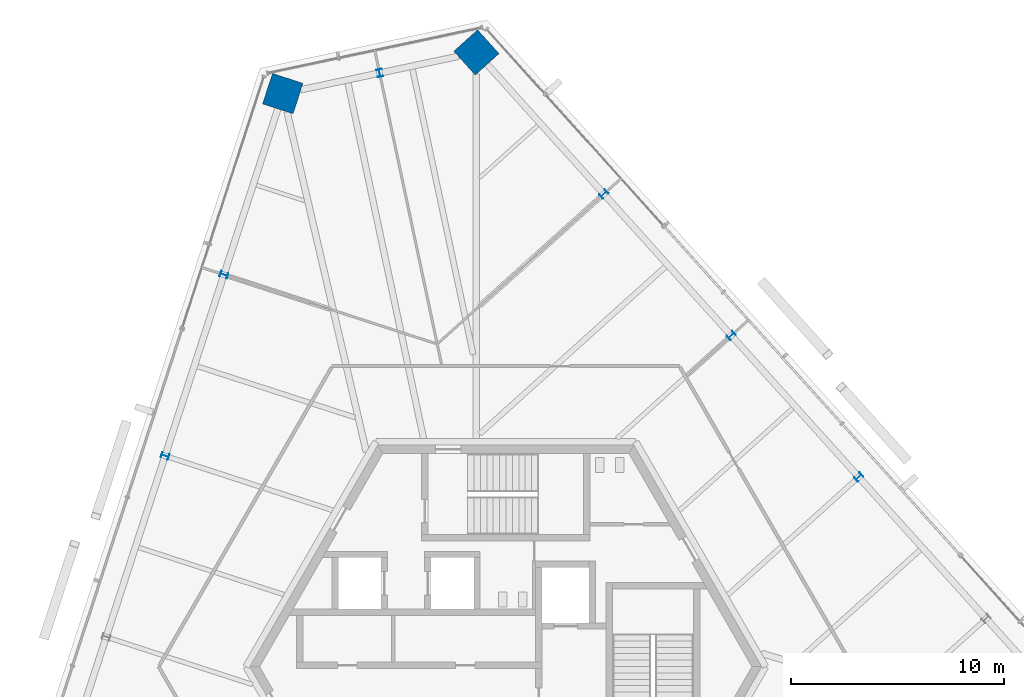
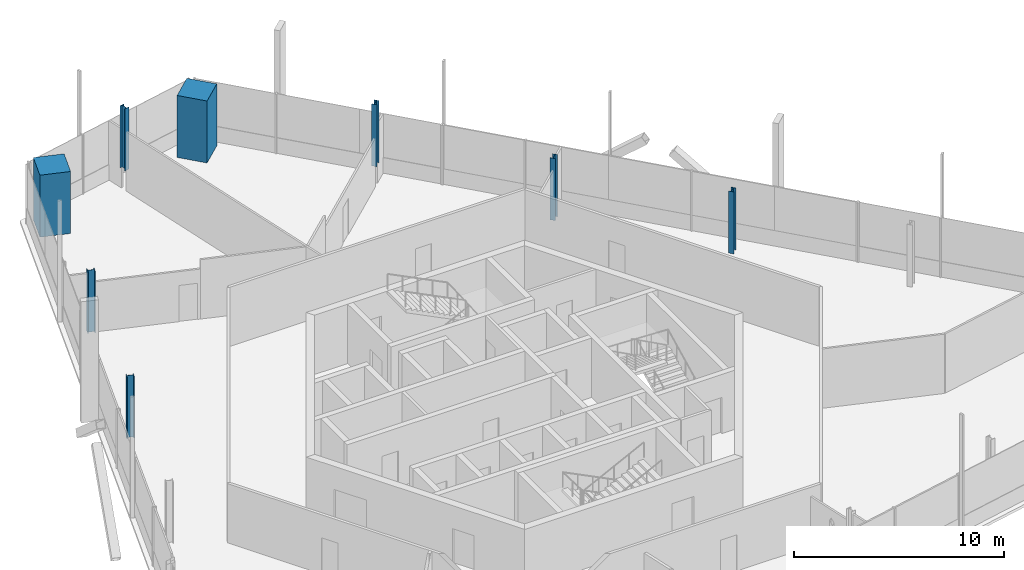
# One storey, part 3 of 17: 8 columns.
"""IFC4 building model written with IfcOpenShell, lengths in metres."""

from ifc_helpers import new_model, si_unit, direction, frame, origin, origin_2d, place, context, subcontext, project, spatial, rectangle, i_section, extrude, source, transform, mapped, material, material_profile, profile_set, type_object, element, save


model = new_model("IFC4")

# Units and contexts
model_context = context("Model", 3, precision=1e-05, world=origin(), true_north=direction((0.0, 1.0)))
body_context = subcontext(model_context, "Body", "Model", "MODEL_VIEW")
ifc_project = project(units=[si_unit("LENGTHUNIT", "METRE"), si_unit("AREAUNIT", "SQUARE_METRE"), si_unit("VOLUMEUNIT", "CUBIC_METRE"), si_unit("PLANEANGLEUNIT", "RADIAN"), si_unit("MASSUNIT", "GRAM", prefix="KILO")], contexts=[model_context])

# Site, building, storey
site_placement = place(None, origin())
site = spatial("IfcSite", under=ifc_project, at=site_placement, CompositionType="ELEMENT")
building_placement = place(site_placement, origin())
building = spatial("IfcBuilding", under=site, at=building_placement, Name="Triune Harvest Tower", CompositionType="ELEMENT")
storey_placement = place(building_placement, frame((0.0, 0.0, 273.89990234375)))
storey = spatial("IfcBuildingStorey", under=building, at=storey_placement, Name="L72", CompositionType="ELEMENT", Elevation=273.89990234375)

# Columns
ifc_material_1 = material(Name="Steel ASTM A992 Gr 50", Category="steel")
ifc_material_profile_1 = material_profile(ifc_material_1, i_section(OverallWidth=0.256591796875, OverallDepth=0.360595703125, WebThickness=0.011474609375, FlangeThickness=0.02001953125, at=origin_2d()), Name="W14x74")
ifc_profile_set_1 = profile_set([ifc_material_profile_1], Name="Steel ASTM A992 Gr 50")
column_type_1 = type_object("IfcColumnType", Name="PC-7 Perimeter column W14x74", PredefinedType="COLUMN", material=ifc_profile_set_1)
shared_shape_1 = source(origin(), body_context, "Body", "SweptSolid", [
    extrude(i_section(OverallWidth=0.256591796875, OverallDepth=0.360595703125, WebThickness=0.011474609375, FlangeThickness=0.02001953125, at=origin_2d()), origin(), (0.0, 0.0, 1.0), 3.599853515625),
])
for number, where, z_axis, x_axis, name in (
    (1, (4.59716796875, 22.159912109375, 1.2001953125), (0.0, 0.0, 1.0), (-0.669130606359, 0.743144825477, 0.0), "col/L72/P4"),
    (2, (-5.91552734375, 27.830078125, 1.2001953125), (0.0, 0.0, 1.0), (-0.978147600734, -0.207911690818, 0.0), "col/L72/P6"),
):
    element("IfcColumn", number, at=place(storey_placement, frame(where, z_axis=z_axis, x_axis=x_axis)), inside=storey, type_object=column_type_1, Name=name, PredefinedType="COLUMN", context=body_context, shape_type="MappedRepresentation", body=[
        mapped(shared_shape_1, transform((0.0, 0.0, 0.0), scale=1.0)),
    ])
ifc_material_2 = material(Name="Concrete 70 MPa", Category="concrete")
ifc_material_profile_2 = material_profile(ifc_material_2, rectangle(XDim=1.5, YDim=1.5, at=origin_2d()), Name="Composite 1500x1500")
ifc_profile_set_2 = profile_set([ifc_material_profile_2], Name="Concrete 70 MPa")
column_type_2 = type_object("IfcColumnType", Name="MC-7 Mega column Composite 1500x1500", PredefinedType="COLUMN", material=ifc_profile_set_2)
shared_shape_2 = source(origin(), body_context, "Body", "SweptSolid", [
    extrude(rectangle(XDim=1.5, YDim=1.5, at=origin_2d()), origin(), (0.0, 0.0, 1.0), 3.60009765625),
])
for number, where, z_axis, x_axis, name in (
    (3, (-1.376708984375, 28.794921875, 0.0), (0.0, 0.0, 1.0), (-0.669130606359, 0.743144825477, 0.0), "col/L72/M5"),
    (4, (-10.4541015625, 26.865478515625, 0.0), (0.0, 0.0, 1.0), (-0.309015334468, -0.95105705563, 0.0), "col/L72/M7"),
):
    element("IfcColumn", number, at=place(storey_placement, frame(where, z_axis=z_axis, x_axis=x_axis)), inside=storey, type_object=column_type_2, Name=name, PredefinedType="COLUMN", context=body_context, shape_type="MappedRepresentation", body=[
        mapped(shared_shape_2, transform((0.0, 0.0, 0.0), scale=1.0)),
    ])
shared_shape_3 = source(origin(), body_context, "Body", "SweptSolid", [
    extrude(i_section(OverallWidth=0.256591796875, OverallDepth=0.360595703125, WebThickness=0.011474609375, FlangeThickness=0.02001953125, at=origin_2d()), origin(), (0.0, 0.0, 1.0), 3.60009765625),
])
for number, where, z_axis, x_axis, name in (
    (5, (16.545166015625, 8.890380859375, 0.0), (0.0, 0.0, 1.0), (-0.669130606359, 0.743144825477, 0.0), "col/L72/P2"),
    (6, (10.5712890625, 15.525146484375, 0.0), (0.0, 0.0, 1.0), (-0.669130606359, 0.743144825477, 0.0), "col/L72/P3"),
    (7, (-13.212890625, 18.37451171875, 0.0), (0.0, 0.0, 1.0), (-0.309015334468, -0.95105705563, 0.0), "col/L72/P8"),
    (8, (-15.971923828125, 9.88330078125, 0.0), (0.0, 0.0, 1.0), (-0.309015334468, -0.95105705563, 0.0), "col/L72/P9"),
):
    element("IfcColumn", number, at=place(storey_placement, frame(where, z_axis=z_axis, x_axis=x_axis)), inside=storey, type_object=column_type_1, Name=name, PredefinedType="COLUMN", context=body_context, shape_type="MappedRepresentation", body=[
        mapped(shared_shape_3, transform((0.0, 0.0, 0.0), scale=1.0)),
    ])

save(model, "model.ifc")
